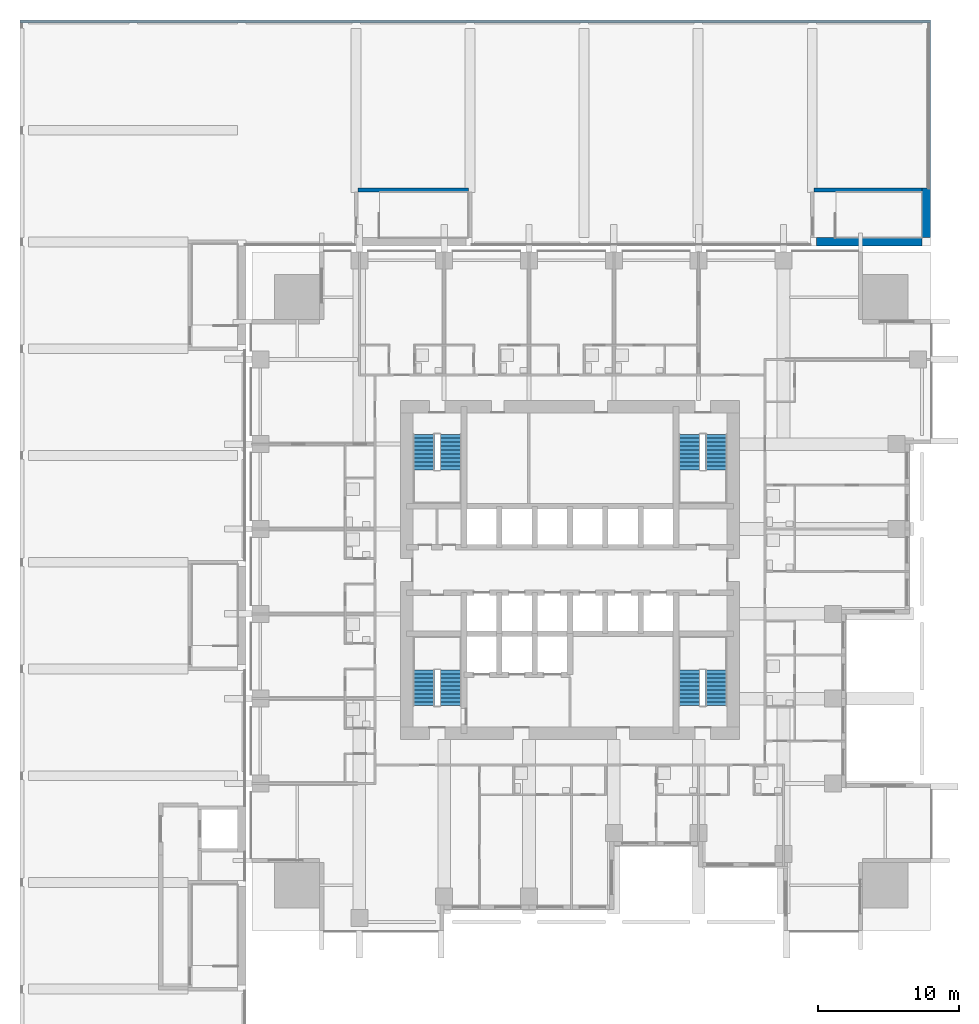
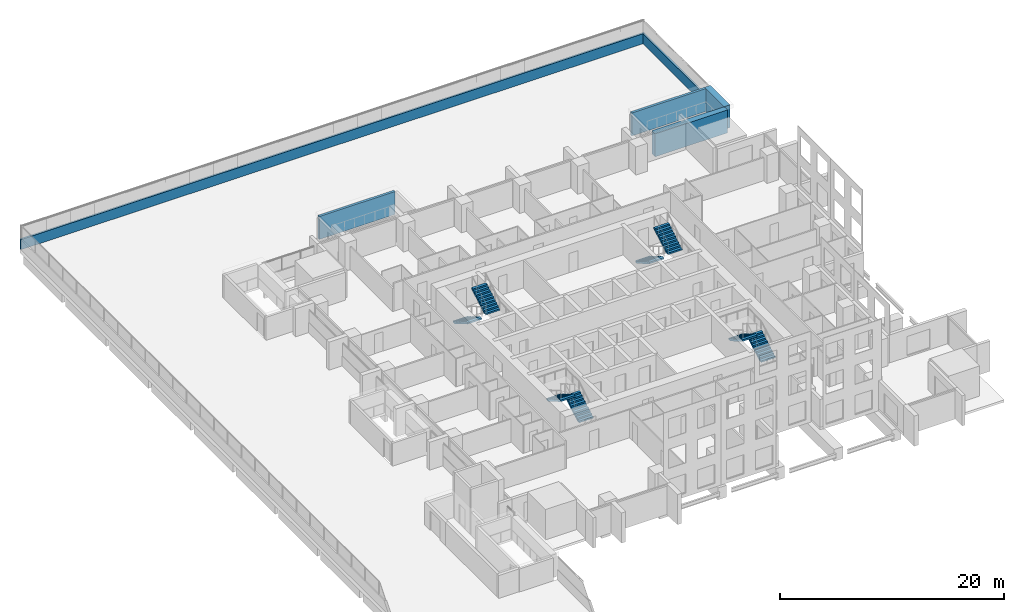
# One storey, part 11 of 15: 8 stair flights, 6 walls, 4 elements without a shape of their own.
"""IFC4 building model written with IfcOpenShell, lengths in metres."""

from ifc_helpers import new_model, si_unit, direction, frame, frame_2d, origin, place, context, subcontext, project, spatial, polyline, rectangle, outline, extrude, material, layer, layer_set, type_object, element, aggregate, save


model = new_model("IFC4")

# Units and contexts
model_context = context("Model", 3, precision=1e-05, world=origin(), true_north=direction((0.0, 1.0)))
body_context = subcontext(model_context, "Body", "Model", "MODEL_VIEW")
ifc_project = project(units=[si_unit("LENGTHUNIT", "METRE"), si_unit("AREAUNIT", "SQUARE_METRE"), si_unit("VOLUMEUNIT", "CUBIC_METRE"), si_unit("PLANEANGLEUNIT", "RADIAN"), si_unit("MASSUNIT", "GRAM", prefix="KILO")], contexts=[model_context])

# Site, building, storey
site_placement = place(None, origin())
site = spatial("IfcSite", under=ifc_project, at=site_placement, CompositionType="ELEMENT")
building_placement = place(site_placement, origin())
building = spatial("IfcBuilding", under=site, at=building_placement, Name="Amberfall Residences", CompositionType="ELEMENT")
storey_placement = place(building_placement, frame((0.0, 0.0, 23.5)))
storey = spatial("IfcBuildingStorey", under=building, at=storey_placement, Name="L05", CompositionType="ELEMENT", Elevation=23.5)

# Walls
ifc_material_1 = material(Name="Brick masonry", Category="masonry")
ifc_layer_1 = layer(ifc_material_1, 0.199951171875)
ifc_layer_set_1 = layer_set([ifc_layer_1], Name="School roof parapet 200")
wall_type_1 = type_object("IfcWallType", Name="School roof parapet 200", PredefinedType="PARAPET", material=ifc_layer_set_1)
wall_1_placement = place(storey_placement, frame((35.60009765625, 84.300048828125, 0.0), z_axis=(0.0, 0.0, 1.0), x_axis=(1.0, 0.0, 0.0)))
element("IfcWall", 1, at=wall_1_placement, inside=storey, type_object=wall_type_1, Name="School roof parapet", PredefinedType="PARAPET", context=body_context, shape_type="SweptSolid", body=[
    extrude(rectangle(XDim=64.39990234375, YDim=0.199951171875, at=frame_2d((32.199951171875, 0.0))), origin(), (0.0, 0.0, 1.0), 1.10009765625),
])
wall_2_placement = place(storey_placement, frame((99.89990234375, 72.5, 0.0), z_axis=(0.0, 0.0, 1.0), x_axis=(0.0, 1.0, 0.0)))
element("IfcWall", 2, at=wall_2_placement, inside=storey, type_object=wall_type_1, Name="School roof parapet", PredefinedType="PARAPET", context=body_context, shape_type="SweptSolid", body=[
    extrude(rectangle(XDim=11.699951171875, YDim=0.199951171875, at=frame_2d((5.85009765625, 0.0))), origin(), (0.0, 0.0, 1.0), 1.10009765625),
])
ifc_material_2 = material(Name="Concrete C50", Category="concrete")
ifc_layer_2 = layer(ifc_material_2, 0.25)
ifc_layer_set_2 = layer_set([ifc_layer_2], Name="School stair core wall 250 C50")
wall_type_2 = type_object("IfcWallType", Name="School stair core wall 250 C50", PredefinedType="SHEAR", material=ifc_layer_set_2)
wall_3_placement = place(storey_placement, frame((59.491943359375, 72.375, 0.0), z_axis=(0.0, 0.0, 1.0), x_axis=(1.0, 0.0, 0.0)))
element("IfcWall", 3, at=wall_3_placement, inside=storey, type_object=wall_type_2, Name="School stair head house wall SS4N", PredefinedType="SHEAR", context=body_context, shape_type="SweptSolid", body=[
    extrude(rectangle(XDim=7.816162109375, YDim=0.25, at=frame_2d((3.908203125, 0.0))), origin(), (0.0, 0.0, 1.0), 2.5),
])
wall_4_placement = place(storey_placement, frame((91.758056640625, 72.375, 0.0), z_axis=(0.0, 0.0, 1.0), x_axis=(1.0, 0.0, 0.0)))
element("IfcWall", 4, at=wall_4_placement, inside=storey, type_object=wall_type_2, Name="School stair head house wall SS5N", PredefinedType="SHEAR", context=body_context, shape_type="SweptSolid", body=[
    extrude(rectangle(XDim=7.641845703125, YDim=0.25, at=frame_2d((3.82080078125, 0.0))), origin(), (0.0, 0.0, 1.0), 2.5),
])
ifc_layer_3 = layer(ifc_material_2, 0.60009765625)
ifc_layer_set_3 = layer_set([ifc_layer_3], Name="School tower-side core wall 600 C50")
wall_type_3 = type_object("IfcWallType", Name="School tower-side core wall 600 C50", PredefinedType="SHEAR", material=ifc_layer_set_3)
wall_5_placement = place(storey_placement, frame((99.699951171875, 69.0, 0.0), z_axis=(0.0, 0.0, 1.0), x_axis=(0.0, 1.0, 0.0)))
element("IfcWall", 5, at=wall_5_placement, inside=storey, type_object=wall_type_3, Name="School stair head house wall SS5EE", PredefinedType="SHEAR", context=body_context, shape_type="SweptSolid", body=[
    extrude(rectangle(XDim=3.5, YDim=0.60009765625, at=frame_2d((1.75, 0.0))), origin(), (0.0, 0.0, 1.0), 2.5),
])
wall_6_placement = place(storey_placement, frame((91.93310546875, 68.699951171875, 0.0), z_axis=(0.0, 0.0, 1.0), x_axis=(1.0, 0.0, 0.0)))
element("IfcWall", 6, at=wall_6_placement, inside=storey, type_object=wall_type_3, Name="School stair head house wall SS5S", PredefinedType="SHEAR", context=body_context, shape_type="SweptSolid", body=[
    extrude(rectangle(XDim=7.466796875, YDim=0.60009765625, at=frame_2d((3.7333984375, 0.0))), origin(), (0.0, 0.0, 1.0), 2.5),
])

# Stair, stair flights
ifc_material_3 = material(Name="Concrete C40", Category="concrete")
stair_type = type_object("IfcStairType", Name="Exit stair 20 risers 165.0 mm", PredefinedType="HALF_TURN_STAIR", material=ifc_material_3)
stair_1_placement = place(storey_placement, origin())
stair_1 = element("IfcStair", 7, at=stair_1_placement, inside=storey, type_object=stair_type, Name="L05 Exit stair 1", PredefinedType="HALF_TURN_STAIR")
stair_flight_type = type_object("IfcStairFlightType", Name="Stair flight 10 risers 165.0 mm", PredefinedType="STRAIGHT", material=ifc_material_3)
stair_flight_1_placement = place(storey_placement, frame((66.050048828125, 35.89990234375, 0.0), z_axis=(0.0, 0.0, 1.0), x_axis=(0.0, 1.0, 0.0)))
stair_flight_1 = element("IfcStairFlight", 8, at=stair_flight_1_placement, type_object=stair_flight_type, Name="ST3 flight 1", NumberOfRisers=10, NumberOfTreads=9, PredefinedType="STRAIGHT", RiserHeight=0.165, TreadLength=0.28, context=body_context, shape_type="SweptSolid", body=[
    extrude(outline(polyline([(0.0, 0.0), (0.0, 0.1650390625), (0.280029296875, 0.1650390625), (0.280029296875, 0.330078125), (0.56005859375, 0.330078125), (0.56005859375, 0.4951171875), (0.840087890625, 0.4951171875), (0.840087890625, 0.659912109375), (1.1201171875, 0.659912109375), (1.1201171875, 0.824951171875), (1.39990234375, 0.824951171875), (1.39990234375, 0.989990234375), (1.679931640625, 0.989990234375), (1.679931640625, 1.155029296875), (1.9599609375, 1.155029296875), (1.9599609375, 1.320068359375), (2.239990234375, 1.320068359375), (2.239990234375, 1.485107421875), (2.52001953125, 1.485107421875), (2.52001953125, 1.64990234375), (2.52001953125, 1.31103515625), (0.295166015625, 0.0), (0.0, 0.0)])), frame((0.0, 0.75, 0.0), z_axis=(0.0, -1.0, 0.0), x_axis=(1.0, 0.0, 0.0)), (0.0, 0.0, 1.0), 1.5),
])
stair_flight_2_placement = place(storey_placement, frame((64.14990234375, 38.419921875, 1.64990234375), z_axis=(0.0, 0.0, 1.0), x_axis=(0.0, -1.0, 0.0)))
stair_flight_2 = element("IfcStairFlight", 9, at=stair_flight_2_placement, type_object=stair_flight_type, Name="ST3 flight 2", NumberOfRisers=10, NumberOfTreads=9, PredefinedType="STRAIGHT", RiserHeight=0.165, TreadLength=0.28, context=body_context, shape_type="SweptSolid", body=[
    extrude(outline(polyline([(0.0, 0.0), (0.0, 0.1650390625), (0.280029296875, 0.1650390625), (0.280029296875, 0.330078125), (0.56005859375, 0.330078125), (0.56005859375, 0.4951171875), (0.840087890625, 0.4951171875), (0.840087890625, 0.659912109375), (1.1201171875, 0.659912109375), (1.1201171875, 0.824951171875), (1.39990234375, 0.824951171875), (1.39990234375, 0.989990234375), (1.679931640625, 0.989990234375), (1.679931640625, 1.155029296875), (1.9599609375, 1.155029296875), (1.9599609375, 1.320068359375), (2.239990234375, 1.320068359375), (2.239990234375, 1.485107421875), (2.52001953125, 1.485107421875), (2.52001953125, 1.64990234375), (2.52001953125, 1.31103515625), (0.295166015625, 0.0), (0.0, 0.0)])), frame((0.0, 0.75, 0.0), z_axis=(0.0, -1.0, 0.0), x_axis=(1.0, 0.0, 0.0)), (0.0, 0.0, 1.0), 1.5),
])
aggregate(stair_1, [stair_flight_1, stair_flight_2])

stair_2_placement = place(storey_placement, origin())
stair_2 = element("IfcStair", 10, at=stair_2_placement, inside=storey, type_object=stair_type, Name="L05 Exit stair 2", PredefinedType="HALF_TURN_STAIR")
stair_flight_3_placement = place(storey_placement, frame((84.85009765625, 35.89990234375, 0.0), z_axis=(0.0, 0.0, 1.0), x_axis=(0.0, 1.0, 0.0)))
stair_flight_3 = element("IfcStairFlight", 11, at=stair_flight_3_placement, type_object=stair_flight_type, Name="ST3 flight 1", NumberOfRisers=10, NumberOfTreads=9, PredefinedType="STRAIGHT", RiserHeight=0.165, TreadLength=0.28, context=body_context, shape_type="SweptSolid", body=[
    extrude(outline(polyline([(0.0, 0.0), (0.0, 0.1650390625), (0.280029296875, 0.1650390625), (0.280029296875, 0.330078125), (0.56005859375, 0.330078125), (0.56005859375, 0.4951171875), (0.840087890625, 0.4951171875), (0.840087890625, 0.659912109375), (1.1201171875, 0.659912109375), (1.1201171875, 0.824951171875), (1.39990234375, 0.824951171875), (1.39990234375, 0.989990234375), (1.679931640625, 0.989990234375), (1.679931640625, 1.155029296875), (1.9599609375, 1.155029296875), (1.9599609375, 1.320068359375), (2.239990234375, 1.320068359375), (2.239990234375, 1.485107421875), (2.52001953125, 1.485107421875), (2.52001953125, 1.64990234375), (2.52001953125, 1.31103515625), (0.295166015625, 0.0), (0.0, 0.0)])), frame((0.0, 0.75, 0.0), z_axis=(0.0, -1.0, 0.0), x_axis=(1.0, 0.0, 0.0)), (0.0, 0.0, 1.0), 1.5),
])
stair_flight_4_placement = place(storey_placement, frame((82.949951171875, 38.419921875, 1.64990234375), z_axis=(0.0, 0.0, 1.0), x_axis=(0.0, -1.0, 0.0)))
stair_flight_4 = element("IfcStairFlight", 12, at=stair_flight_4_placement, type_object=stair_flight_type, Name="ST3 flight 2", NumberOfRisers=10, NumberOfTreads=9, PredefinedType="STRAIGHT", RiserHeight=0.165, TreadLength=0.28, context=body_context, shape_type="SweptSolid", body=[
    extrude(outline(polyline([(0.0, 0.0), (0.0, 0.1650390625), (0.280029296875, 0.1650390625), (0.280029296875, 0.330078125), (0.56005859375, 0.330078125), (0.56005859375, 0.4951171875), (0.840087890625, 0.4951171875), (0.840087890625, 0.659912109375), (1.1201171875, 0.659912109375), (1.1201171875, 0.824951171875), (1.39990234375, 0.824951171875), (1.39990234375, 0.989990234375), (1.679931640625, 0.989990234375), (1.679931640625, 1.155029296875), (1.9599609375, 1.155029296875), (1.9599609375, 1.320068359375), (2.239990234375, 1.320068359375), (2.239990234375, 1.485107421875), (2.52001953125, 1.485107421875), (2.52001953125, 1.64990234375), (2.52001953125, 1.31103515625), (0.295166015625, 0.0), (0.0, 0.0)])), frame((0.0, 0.75, 0.0), z_axis=(0.0, -1.0, 0.0), x_axis=(1.0, 0.0, 0.0)), (0.0, 0.0, 1.0), 1.5),
])
aggregate(stair_2, [stair_flight_3, stair_flight_4])

stair_3_placement = place(storey_placement, origin())
stair_3 = element("IfcStair", 13, at=stair_3_placement, inside=storey, type_object=stair_type, Name="L05 Exit stair 3", PredefinedType="HALF_TURN_STAIR")
stair_flight_5_placement = place(storey_placement, frame((82.949951171875, 55.10009765625, 0.0), z_axis=(0.0, 0.0, 1.0), x_axis=(0.0, -1.0, 0.0)))
stair_flight_5 = element("IfcStairFlight", 14, at=stair_flight_5_placement, type_object=stair_flight_type, Name="ST3 flight 1", NumberOfRisers=10, NumberOfTreads=9, PredefinedType="STRAIGHT", RiserHeight=0.165, TreadLength=0.28, context=body_context, shape_type="SweptSolid", body=[
    extrude(outline(polyline([(0.0, 0.0), (0.0, 0.1650390625), (0.280029296875, 0.1650390625), (0.280029296875, 0.330078125), (0.56005859375, 0.330078125), (0.56005859375, 0.4951171875), (0.840087890625, 0.4951171875), (0.840087890625, 0.659912109375), (1.1201171875, 0.659912109375), (1.1201171875, 0.824951171875), (1.39990234375, 0.824951171875), (1.39990234375, 0.989990234375), (1.679931640625, 0.989990234375), (1.679931640625, 1.155029296875), (1.9599609375, 1.155029296875), (1.9599609375, 1.320068359375), (2.239990234375, 1.320068359375), (2.239990234375, 1.485107421875), (2.52001953125, 1.485107421875), (2.52001953125, 1.64990234375), (2.52001953125, 1.31103515625), (0.295166015625, 0.0), (0.0, 0.0)])), frame((0.0, 0.75, 0.0), z_axis=(0.0, -1.0, 0.0), x_axis=(1.0, 0.0, 0.0)), (0.0, 0.0, 1.0), 1.5),
])
stair_flight_6_placement = place(storey_placement, frame((84.85009765625, 52.580078125, 1.64990234375), z_axis=(0.0, 0.0, 1.0), x_axis=(0.0, 1.0, 0.0)))
stair_flight_6 = element("IfcStairFlight", 15, at=stair_flight_6_placement, type_object=stair_flight_type, Name="ST3 flight 2", NumberOfRisers=10, NumberOfTreads=9, PredefinedType="STRAIGHT", RiserHeight=0.165, TreadLength=0.28, context=body_context, shape_type="SweptSolid", body=[
    extrude(outline(polyline([(0.0, 0.0), (0.0, 0.1650390625), (0.280029296875, 0.1650390625), (0.280029296875, 0.330078125), (0.56005859375, 0.330078125), (0.56005859375, 0.4951171875), (0.840087890625, 0.4951171875), (0.840087890625, 0.659912109375), (1.1201171875, 0.659912109375), (1.1201171875, 0.824951171875), (1.39990234375, 0.824951171875), (1.39990234375, 0.989990234375), (1.679931640625, 0.989990234375), (1.679931640625, 1.155029296875), (1.9599609375, 1.155029296875), (1.9599609375, 1.320068359375), (2.239990234375, 1.320068359375), (2.239990234375, 1.485107421875), (2.52001953125, 1.485107421875), (2.52001953125, 1.64990234375), (2.52001953125, 1.31103515625), (0.295166015625, 0.0), (0.0, 0.0)])), frame((0.0, 0.75, 0.0), z_axis=(0.0, -1.0, 0.0), x_axis=(1.0, 0.0, 0.0)), (0.0, 0.0, 1.0), 1.5),
])
aggregate(stair_3, [stair_flight_5, stair_flight_6])

stair_4_placement = place(storey_placement, origin())
stair_4 = element("IfcStair", 16, at=stair_4_placement, inside=storey, type_object=stair_type, Name="L05 Exit stair 4", PredefinedType="HALF_TURN_STAIR")
stair_flight_7_placement = place(storey_placement, frame((64.14990234375, 55.10009765625, 0.0), z_axis=(0.0, 0.0, 1.0), x_axis=(0.0, -1.0, 0.0)))
stair_flight_7 = element("IfcStairFlight", 17, at=stair_flight_7_placement, type_object=stair_flight_type, Name="ST3 flight 1", NumberOfRisers=10, NumberOfTreads=9, PredefinedType="STRAIGHT", RiserHeight=0.165, TreadLength=0.28, context=body_context, shape_type="SweptSolid", body=[
    extrude(outline(polyline([(0.0, 0.0), (0.0, 0.1650390625), (0.280029296875, 0.1650390625), (0.280029296875, 0.330078125), (0.56005859375, 0.330078125), (0.56005859375, 0.4951171875), (0.840087890625, 0.4951171875), (0.840087890625, 0.659912109375), (1.1201171875, 0.659912109375), (1.1201171875, 0.824951171875), (1.39990234375, 0.824951171875), (1.39990234375, 0.989990234375), (1.679931640625, 0.989990234375), (1.679931640625, 1.155029296875), (1.9599609375, 1.155029296875), (1.9599609375, 1.320068359375), (2.239990234375, 1.320068359375), (2.239990234375, 1.485107421875), (2.52001953125, 1.485107421875), (2.52001953125, 1.64990234375), (2.52001953125, 1.31103515625), (0.295166015625, 0.0), (0.0, 0.0)])), frame((0.0, 0.75, 0.0), z_axis=(0.0, -1.0, 0.0), x_axis=(1.0, 0.0, 0.0)), (0.0, 0.0, 1.0), 1.5),
])
stair_flight_8_placement = place(storey_placement, frame((66.050048828125, 52.580078125, 1.64990234375), z_axis=(0.0, 0.0, 1.0), x_axis=(0.0, 1.0, 0.0)))
stair_flight_8 = element("IfcStairFlight", 18, at=stair_flight_8_placement, type_object=stair_flight_type, Name="ST3 flight 2", NumberOfRisers=10, NumberOfTreads=9, PredefinedType="STRAIGHT", RiserHeight=0.165, TreadLength=0.28, context=body_context, shape_type="SweptSolid", body=[
    extrude(outline(polyline([(0.0, 0.0), (0.0, 0.1650390625), (0.280029296875, 0.1650390625), (0.280029296875, 0.330078125), (0.56005859375, 0.330078125), (0.56005859375, 0.4951171875), (0.840087890625, 0.4951171875), (0.840087890625, 0.659912109375), (1.1201171875, 0.659912109375), (1.1201171875, 0.824951171875), (1.39990234375, 0.824951171875), (1.39990234375, 0.989990234375), (1.679931640625, 0.989990234375), (1.679931640625, 1.155029296875), (1.9599609375, 1.155029296875), (1.9599609375, 1.320068359375), (2.239990234375, 1.320068359375), (2.239990234375, 1.485107421875), (2.52001953125, 1.485107421875), (2.52001953125, 1.64990234375), (2.52001953125, 1.31103515625), (0.295166015625, 0.0), (0.0, 0.0)])), frame((0.0, 0.75, 0.0), z_axis=(0.0, -1.0, 0.0), x_axis=(1.0, 0.0, 0.0)), (0.0, 0.0, 1.0), 1.5),
])
aggregate(stair_4, [stair_flight_7, stair_flight_8])

save(model, "model.ifc")
